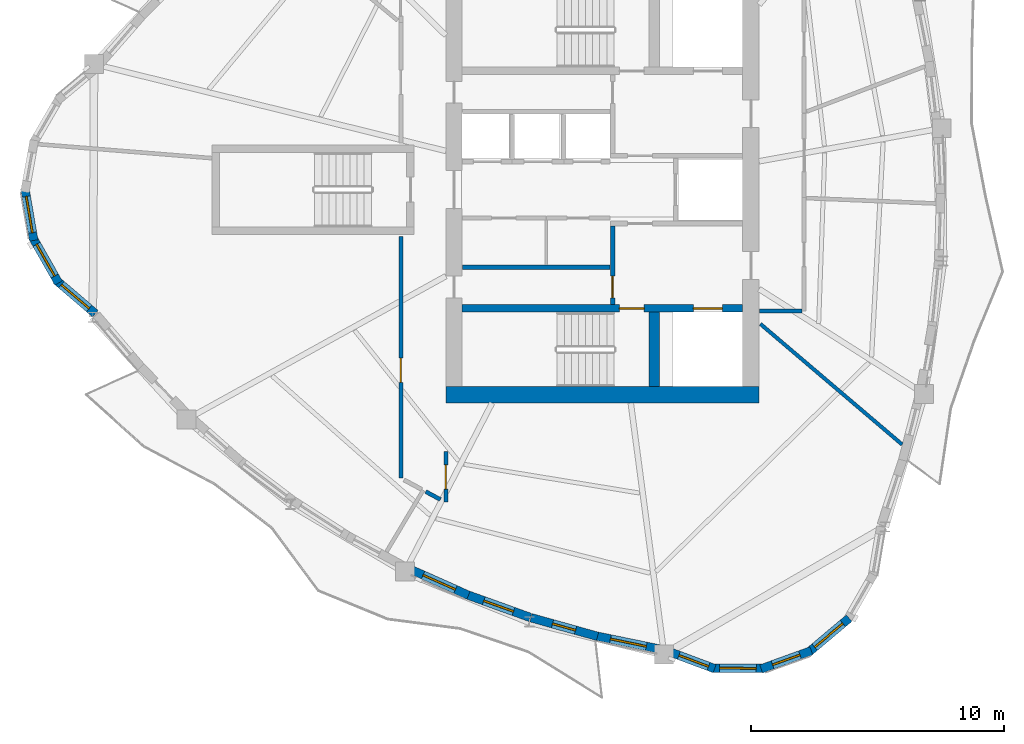
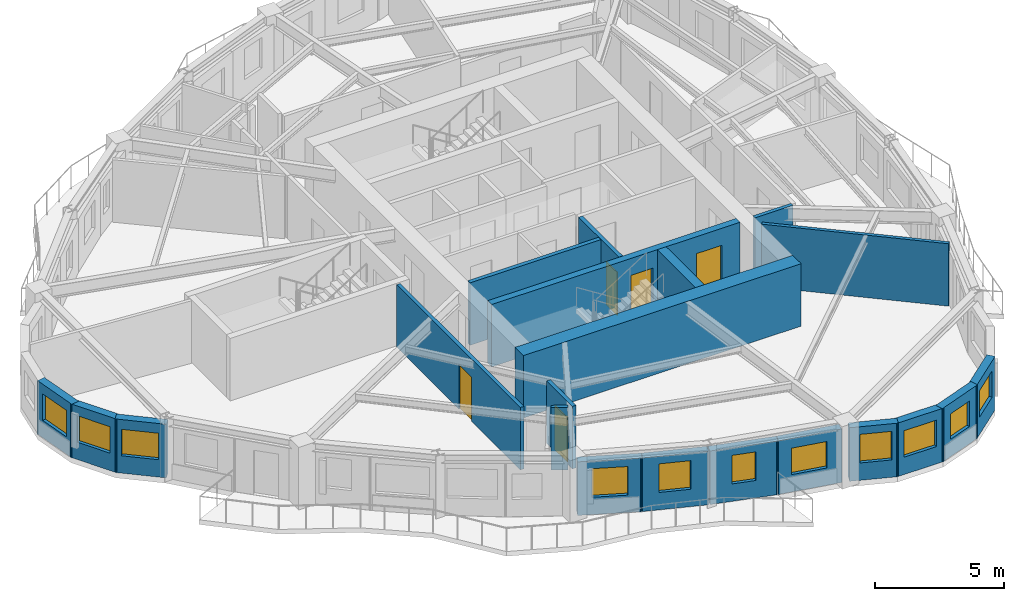
# One storey, part 3 of 11: 21 walls, 11 windows, 5 doors, 16 openings.
"""IFC4 building model written with IfcOpenShell, lengths in metres."""

from ifc_helpers import new_model, si_unit, direction, frame, frame_2d, origin, place, context, subcontext, project, spatial, rectangle, extrude, source, transform, mapped, material, layer, layer_set, type_object, element, fill, save


model = new_model("IFC4")

# Units and contexts
model_context = context("Model", 3, precision=1e-05, world=origin(), true_north=direction((0.0, 1.0)))
body_context = subcontext(model_context, "Body", "Model", "MODEL_VIEW")
ifc_project = project(units=[si_unit("LENGTHUNIT", "METRE"), si_unit("AREAUNIT", "SQUARE_METRE"), si_unit("VOLUMEUNIT", "CUBIC_METRE"), si_unit("PLANEANGLEUNIT", "RADIAN"), si_unit("MASSUNIT", "GRAM", prefix="KILO")], contexts=[model_context])

# Site, building, storey
site_placement = place(None, origin())
site = spatial("IfcSite", under=ifc_project, at=site_placement, CompositionType="ELEMENT")
building_placement = place(site_placement, origin())
building = spatial("IfcBuilding", under=site, at=building_placement, Name="Qafzar Sky-Pleat Residences", CompositionType="ELEMENT")
storey_placement = place(building_placement, frame((0.0, 0.0, 165.0)))
storey = spatial("IfcBuildingStorey", under=building, at=storey_placement, Name="L49", CompositionType="ELEMENT", Elevation=165.0)

# Wall, opening, door
ifc_material_1 = material(Name="Acoustic gypsum plasterboard partition", Category="gypsum")
ifc_layer_1 = layer(ifc_material_1, 0.159912109375)
ifc_layer_set_1 = layer_set([ifc_layer_1], Name="Acoustic gypsum plasterboard partition")
wall_type_1 = type_object("IfcWallType", Name="PART-COR-160", PredefinedType="PARTITIONING", material=ifc_layer_set_1)
wall_1_placement = place(storey_placement, frame((22.3701171875, 14.5791015625, 0.0), z_axis=(0.0, 0.0, 1.0), x_axis=(0.0, 1.0, 0.0)))
wall_1 = element("IfcWall", 1, at=wall_1_placement, inside=storey, type_object=wall_type_1, Name="L49 Partition Wall PART-L49-PW-001", PredefinedType="PARTITIONING", context=body_context, shape_type="SweptSolid", body=[
    extrude(rectangle(XDim=9.57080078125, YDim=0.159912109375, at=frame_2d((4.785400390625, 0.0))), origin(), (0.0, 0.0, 1.0), 2.949951171875),
])
opening_1_placement = place(wall_1_placement, frame((3.79345703125, 0.0, 0.0)))
opening_1 = element("IfcOpeningElement", 2, at=opening_1_placement, cuts=wall_1, Name="Opening ID-06", PredefinedType="OPENING", context=body_context, shape_type="SweptSolid", body=[
    extrude(rectangle(XDim=0.9599609375, YDim=2.10009765625, at=frame_2d((0.47998046875, 1.050048828125))), frame((0.0, 0.08984375, 0.0), z_axis=(0.0, -1.0, 0.0), x_axis=(1.0, 0.0, 0.0)), (0.0, 0.0, 1.0), 0.179931640625),
])
ifc_material_2 = material(Name="Timber-faced fire door", Category="wood")
door_type_1 = type_object("IfcDoorType", Name="DR-STD-960", OperationType="NOTDEFINED", PredefinedType="DOOR", material=ifc_material_2)
shared_shape_1 = source(origin(), body_context, "Body", "SweptSolid", [
    extrude(rectangle(XDim=0.9599609375, YDim=2.10009765625, at=frame_2d((0.47998046875, 1.050048828125))), frame((0.0, 0.02490234375, 0.0), z_axis=(0.0, -1.0, 0.0), x_axis=(1.0, 0.0, 0.0)), (0.0, 0.0, 1.0), 0.050048828125),
])
door_1_placement = place(opening_1_placement, origin())
door_1 = element("IfcDoor", 3, at=door_1_placement, inside=storey, type_object=door_type_1, Name="L49 Faculty Research Office Door", OperationType="SINGLE_SWING_RIGHT", OverallHeight=2.10009765625, OverallWidth=0.9599609375, PredefinedType="DOOR", context=body_context, shape_type="MappedRepresentation", body=[
    mapped(shared_shape_1, transform((0.0, 0.0, 0.0), x_axis=(1.0, 0.0, 0.0), y_axis=(0.0, 1.0, 0.0), z_axis=(0.0, 0.0, 1.0), scale=1.0)),
])
fill(opening_1, door_1)

wall_2_placement = place(storey_placement, frame((24.14990234375, 15.633056640625, 0.0), z_axis=(0.0, 0.0, 1.0), x_axis=(0.0, -1.0, 0.0)))
wall_2 = element("IfcWall", 4, at=wall_2_placement, inside=storey, type_object=wall_type_1, Name="L49 Partition Wall PART-L49-PW-008", PredefinedType="PARTITIONING", context=body_context, shape_type="SweptSolid", body=[
    extrude(rectangle(XDim=1.9951171875, YDim=0.159912109375, at=frame_2d((0.99755859375, 0.0))), origin(), (0.0, 0.0, 1.0), 2.949951171875),
])
opening_2_placement = place(wall_2_placement, frame((0.531982421875, 0.0, 0.0)))
opening_2 = element("IfcOpeningElement", 5, at=opening_2_placement, cuts=wall_2, Name="Opening ID-06", PredefinedType="OPENING", context=body_context, shape_type="SweptSolid", body=[
    extrude(rectangle(XDim=0.9599609375, YDim=2.10009765625, at=frame_2d((0.47998046875, 1.050048828125))), frame((0.0, 0.08984375, 0.0), z_axis=(0.0, -1.0, 0.0), x_axis=(1.0, 0.0, 0.0)), (0.0, 0.0, 1.0), 0.179931640625),
])
door_2_placement = place(opening_2_placement, origin())
door_2 = element("IfcDoor", 6, at=door_2_placement, inside=storey, type_object=door_type_1, Name="L49 Scholar Co-Working Workspace Door", OperationType="SINGLE_SWING_RIGHT", OverallHeight=2.10009765625, OverallWidth=0.9599609375, PredefinedType="DOOR", context=body_context, shape_type="MappedRepresentation", body=[
    mapped(shared_shape_1, transform((0.0, 0.0, 0.0), x_axis=(1.0, 0.0, 0.0), y_axis=(0.0, 1.0, 0.0), z_axis=(0.0, 0.0, 1.0), scale=1.0)),
])
fill(opening_2, door_2)

# Walls
wall_3_placement = place(storey_placement, frame((36.55810546875, 21.199951171875, 0.0), z_axis=(0.0, 0.0, 1.0), x_axis=(1.0, 0.0, 0.0)))
element("IfcWall", 7, at=wall_3_placement, inside=storey, type_object=wall_type_1, Name="L49 Partition Wall PART-L49-PW-021", PredefinedType="PARTITIONING", context=body_context, shape_type="SweptSolid", body=[
    extrude(rectangle(XDim=1.683837890625, YDim=0.159912109375, at=frame_2d((0.841796875, 0.0))), origin(), (0.0, 0.0, 1.0), 2.949951171875),
])
wall_4_placement = place(storey_placement, frame((23.35400390625, 14.0478515625, 0.0), z_axis=(0.0, 0.0, 1.0), x_axis=(0.879446930613, -0.475996949818, 0.0)))
element("IfcWall", 8, at=wall_4_placement, inside=storey, type_object=wall_type_1, Name="L49 Partition Wall PART-L49-PW-028", PredefinedType="PARTITIONING", context=body_context, shape_type="SweptSolid", body=[
    extrude(rectangle(XDim=0.65966796875, YDim=0.159912109375, at=frame_2d((0.329833984375, 0.0))), origin(), (0.0, 0.0, 1.0), 2.949951171875),
])

# Wall, opening, door
ifc_material_3 = material(Name="Concrete blockwork partition", Category="masonry")
ifc_layer_2 = layer(ifc_material_3, 0.179931640625)
ifc_layer_set_2 = layer_set([ifc_layer_2], Name="Concrete blockwork partition")
wall_type_2 = type_object("IfcWallType", Name="PART-SHAFT-180", PredefinedType="PARTITIONING", material=ifc_layer_set_2)
wall_5_placement = place(storey_placement, frame((30.75, 21.4599609375, 0.0), z_axis=(0.0, 0.0, 1.0), x_axis=(0.0, 1.0, 0.0)))
wall_5 = element("IfcWall", 9, at=wall_5_placement, inside=storey, type_object=wall_type_2, Name="L49 Partition Wall PART-L49-FFL1-W", PredefinedType="PARTITIONING", context=body_context, shape_type="SweptSolid", body=[
    extrude(rectangle(XDim=3.110107421875, YDim=0.179931640625, at=frame_2d((1.55517578125, 0.0))), origin(), (0.0, 0.0, 1.0), 2.949951171875),
])
opening_3_placement = place(wall_5_placement, frame((0.260009765625, 0.0, 0.0)))
opening_3 = element("IfcOpeningElement", 10, at=opening_3_placement, cuts=wall_5, Name="Opening ID-09", PredefinedType="OPENING", context=body_context, shape_type="SweptSolid", body=[
    extrude(rectangle(XDim=0.860107421875, YDim=2.050048828125, at=frame_2d((0.43017578125, 1.02490234375))), frame((0.0, 0.10009765625, 0.0), z_axis=(0.0, -1.0, 0.0), x_axis=(1.0, 0.0, 0.0)), (0.0, 0.0, 1.0), 0.199951171875),
])
door_type_2 = type_object("IfcDoorType", Name="DR-SVC-860", OperationType="NOTDEFINED", PredefinedType="DOOR", material=ifc_material_2)
shared_shape_2 = source(origin(), body_context, "Body", "SweptSolid", [
    extrude(rectangle(XDim=0.860107421875, YDim=2.050048828125, at=frame_2d((0.43017578125, 1.02490234375))), frame((0.0, 0.02490234375, 0.0), z_axis=(0.0, -1.0, 0.0), x_axis=(1.0, 0.0, 0.0)), (0.0, 0.0, 1.0), 0.050048828125),
])
door_3_placement = place(opening_3_placement, origin())
door_3 = element("IfcDoor", 11, at=door_3_placement, inside=storey, type_object=door_type_2, Name="L49 South Core Cupboard Door", OperationType="SINGLE_SWING_RIGHT", OverallHeight=2.050048828125, OverallWidth=0.860107421875, PredefinedType="DOOR", context=body_context, shape_type="MappedRepresentation", body=[
    mapped(shared_shape_2, transform((0.0, 0.0, 0.0), x_axis=(1.0, 0.0, 0.0), y_axis=(0.0, 1.0, 0.0), z_axis=(0.0, 0.0, 1.0), scale=1.0)),
])
fill(opening_3, door_3)

# Walls
wall_6_placement = place(storey_placement, frame((24.81005859375, 22.919921875, 0.0), z_axis=(0.0, 0.0, 1.0), x_axis=(1.0, 0.0, 0.0)))
element("IfcWall", 12, at=wall_6_placement, inside=storey, type_object=wall_type_2, Name="L49 Partition Wall PART-L49-P13-S", PredefinedType="PARTITIONING", context=body_context, shape_type="SweptSolid", body=[
    extrude(rectangle(XDim=5.83984375, YDim=0.179931640625, at=frame_2d((2.919921875, 0.0))), origin(), (0.0, 0.0, 1.0), 2.949951171875),
])
ifc_layer_3 = layer(ifc_material_1, 0.14501953125)
ifc_layer_set_3 = layer_set([ifc_layer_3], Name="Acoustic gypsum plasterboard partition")
wall_type_3 = type_object("IfcWallType", Name="PART-UNIT-145", PredefinedType="PARTITIONING", material=ifc_layer_set_3)
wall_7_placement = place(storey_placement, frame((36.60302734375, 20.681884765625, 0.0), z_axis=(0.0, 0.0, 1.0), x_axis=(0.761710074833, -0.647918020971, 0.0)))
element("IfcWall", 13, at=wall_7_placement, inside=storey, type_object=wall_type_3, Name="L49 Partition Wall PART-L49-PW-012", PredefinedType="PARTITIONING", context=body_context, shape_type="SweptSolid", body=[
    extrude(rectangle(XDim=7.359130859375, YDim=0.14501953125, at=frame_2d((3.6796875, 0.0))), origin(), (0.0, 0.0, 1.0), 2.949951171875),
])

# Wall, opening, window
ifc_material_4 = material(Name="Precast concrete C40/50 with honed Riyadh limestone", Category="concrete")
ifc_layer_4 = layer(ifc_material_4, 0.340087890625)
ifc_layer_set_4 = layer_set([ifc_layer_4], Name="Precast concrete C40/50 with honed Riyadh limestone")
wall_type_4 = type_object("IfcWallType", Name="WALL-EXT-340", PredefinedType="SOLIDWALL", material=ifc_layer_set_4)
wall_8_placement = place(storey_placement, frame((7.48974609375, 26.038330078125, 0.0), z_axis=(0.0, 0.0, 1.0), x_axis=(0.168107405166, -0.985768685001, 0.0)))
wall_8 = element("IfcWall", 14, at=wall_8_placement, inside=storey, type_object=wall_type_4, Name="L49 Limestone Facade Wall 4", PredefinedType="SOLIDWALL", context=body_context, shape_type="SweptSolid", body=[
    extrude(rectangle(XDim=2.0810546875, YDim=0.340087890625, at=frame_2d((1.04052734375, 0.0))), origin(), (0.0, 0.0, 1.0), 2.530029296875),
])
opening_4_placement = place(wall_8_placement, frame((0.315673828125, 0.0, 0.820068359375)))
opening_4 = element("IfcOpeningElement", 15, at=opening_4_placement, cuts=wall_8, Name="Opening WN-15", PredefinedType="OPENING", context=body_context, shape_type="SweptSolid", body=[
    extrude(rectangle(XDim=1.449951171875, YDim=1.25, at=frame_2d((0.72509765625, 0.625))), frame((0.0, 0.18017578125, 0.0), z_axis=(0.0, -1.0, 0.0), x_axis=(1.0, 0.0, 0.0)), (0.0, 0.0, 1.0), 0.360107421875),
])
ifc_material_5 = material(Name="Solar-control low-E glass in bronze aluminium frame", Category="glass")
window_type_1 = type_object("IfcWindowType", Name="WIN-15", PartitioningType="SINGLE_PANEL", PredefinedType="WINDOW", material=ifc_material_5)
shared_shape_3 = source(origin(), body_context, "Body", "SweptSolid", [
    extrude(rectangle(XDim=1.449951171875, YDim=1.25, at=frame_2d((0.72509765625, 0.625))), frame((0.0, 0.030029296875, 0.0), z_axis=(0.0, -1.0, 0.0), x_axis=(1.0, 0.0, 0.0)), (0.0, 0.0, 1.0), 0.06005859375),
])
window_1_placement = place(opening_4_placement, origin())
window_1 = element("IfcWindow", 16, at=window_1_placement, inside=storey, type_object=window_type_1, Name="L49 Punched Facade Window 04", OverallHeight=1.25, OverallWidth=1.449951171875, PartitioningType="SINGLE_PANEL", PredefinedType="WINDOW", context=body_context, shape_type="MappedRepresentation", body=[
    mapped(shared_shape_3, transform((0.0, 0.0, 0.0), x_axis=(1.0, 0.0, 0.0), y_axis=(0.0, 1.0, 0.0), z_axis=(0.0, 0.0, 1.0), scale=1.0)),
])
fill(opening_4, window_1)

wall_9_placement = place(storey_placement, frame((7.794677734375, 24.11279296875, 0.0), z_axis=(0.0, 0.0, 1.0), x_axis=(0.493660675866, -0.869654607936, 0.0)))
wall_9 = element("IfcWall", 17, at=wall_9_placement, inside=storey, type_object=wall_type_4, Name="L49 Limestone Facade Wall 5", PredefinedType="SOLIDWALL", context=body_context, shape_type="SweptSolid", body=[
    extrude(rectangle(XDim=2.0810546875, YDim=0.340087890625, at=frame_2d((1.04052734375, 0.0))), origin(), (0.0, 0.0, 1.0), 2.530029296875),
])
opening_5_placement = place(wall_9_placement, frame((0.3154296875, 0.0, 0.820068359375)))
opening_5 = element("IfcOpeningElement", 18, at=opening_5_placement, cuts=wall_9, Name="Opening WN-15", PredefinedType="OPENING", context=body_context, shape_type="SweptSolid", body=[
    extrude(rectangle(XDim=1.449951171875, YDim=1.25, at=frame_2d((0.72509765625, 0.625))), frame((0.0, 0.18017578125, 0.0), z_axis=(0.0, -1.0, 0.0), x_axis=(1.0, 0.0, 0.0)), (0.0, 0.0, 1.0), 0.360107421875),
])
window_2_placement = place(opening_5_placement, origin())
window_2 = element("IfcWindow", 19, at=window_2_placement, inside=storey, type_object=window_type_1, Name="L49 Punched Facade Window 05", OverallHeight=1.25, OverallWidth=1.449951171875, PartitioningType="SINGLE_PANEL", PredefinedType="WINDOW", context=body_context, shape_type="MappedRepresentation", body=[
    mapped(shared_shape_3, transform((0.0, 0.0, 0.0), x_axis=(1.0, 0.0, 0.0), y_axis=(0.0, 1.0, 0.0), z_axis=(0.0, 0.0, 1.0), scale=1.0)),
])
fill(opening_5, window_2)

wall_10_placement = place(storey_placement, frame((8.737060546875, 22.406005859375, 0.0), z_axis=(0.0, 0.0, 1.0), x_axis=(0.760269373804, -0.649607942728, 0.0)))
wall_10 = element("IfcWall", 20, at=wall_10_placement, inside=storey, type_object=wall_type_4, Name="L49 Limestone Facade Wall 6", PredefinedType="SOLIDWALL", context=body_context, shape_type="SweptSolid", body=[
    extrude(rectangle(XDim=2.023193359375, YDim=0.340087890625, at=frame_2d((1.01171875, 0.0))), origin(), (0.0, 0.0, 1.0), 2.530029296875),
])
opening_6_placement = place(wall_10_placement, frame((0.256591796875, 0.0, 0.820068359375)))
opening_6 = element("IfcOpeningElement", 21, at=opening_6_placement, cuts=wall_10, Name="Opening WN-15", PredefinedType="OPENING", context=body_context, shape_type="SweptSolid", body=[
    extrude(rectangle(XDim=1.449951171875, YDim=1.25, at=frame_2d((0.72509765625, 0.625))), frame((0.0, 0.18017578125, 0.0), z_axis=(0.0, -1.0, 0.0), x_axis=(1.0, 0.0, 0.0)), (0.0, 0.0, 1.0), 0.360107421875),
])
window_3_placement = place(opening_6_placement, origin())
window_3 = element("IfcWindow", 22, at=window_3_placement, inside=storey, type_object=window_type_1, Name="L49 Punched Facade Window 06", OverallHeight=1.25, OverallWidth=1.449951171875, PartitioningType="SINGLE_PANEL", PredefinedType="WINDOW", context=body_context, shape_type="MappedRepresentation", body=[
    mapped(shared_shape_3, transform((0.0, 0.0, 0.0), x_axis=(1.0, 0.0, 0.0), y_axis=(0.0, 1.0, 0.0), z_axis=(0.0, 0.0, 1.0), scale=1.0)),
])
fill(opening_6, window_3)

wall_11_placement = place(storey_placement, frame((22.739501953125, 10.97119140625, 0.0), z_axis=(0.0, 0.0, 1.0), x_axis=(0.913208557636, -0.407492491048, 0.0)))
wall_11 = element("IfcWall", 23, at=wall_11_placement, inside=storey, type_object=wall_type_4, Name="L49 Limestone Facade Wall 13", PredefinedType="SOLIDWALL", context=body_context, shape_type="SweptSolid", body=[
    extrude(rectangle(XDim=2.525390625, YDim=0.340087890625, at=frame_2d((1.2626953125, 0.0))), origin(), (0.0, 0.0, 1.0), 2.530029296875),
])
opening_7_placement = place(wall_11_placement, frame((0.5576171875, 0.0, 0.820068359375)))
opening_7 = element("IfcOpeningElement", 24, at=opening_7_placement, cuts=wall_11, Name="Opening WN-10", PredefinedType="OPENING", context=body_context, shape_type="SweptSolid", body=[
    extrude(rectangle(XDim=1.39990234375, YDim=1.35009765625, at=frame_2d((0.699951171875, 0.675048828125))), frame((0.0, 0.18017578125, 0.0), z_axis=(0.0, -1.0, 0.0), x_axis=(1.0, 0.0, 0.0)), (0.0, 0.0, 1.0), 0.360107421875),
])
window_type_2 = type_object("IfcWindowType", Name="WIN-10", PartitioningType="SINGLE_PANEL", PredefinedType="WINDOW", material=ifc_material_5)
shared_shape_4 = source(origin(), body_context, "Body", "SweptSolid", [
    extrude(rectangle(XDim=1.39990234375, YDim=1.35009765625, at=frame_2d((0.699951171875, 0.675048828125))), frame((0.0, 0.030029296875, 0.0), z_axis=(0.0, -1.0, 0.0), x_axis=(1.0, 0.0, 0.0)), (0.0, 0.0, 1.0), 0.06005859375),
])
window_4_placement = place(opening_7_placement, origin())
window_4 = element("IfcWindow", 25, at=window_4_placement, inside=storey, type_object=window_type_2, Name="L49 Punched Facade Window 13", OverallHeight=1.35009765625, OverallWidth=1.39990234375, PartitioningType="SINGLE_PANEL", PredefinedType="WINDOW", context=body_context, shape_type="MappedRepresentation", body=[
    mapped(shared_shape_4, transform((0.0, 0.0, 0.0), x_axis=(1.0, 0.0, 0.0), y_axis=(0.0, 1.0, 0.0), z_axis=(0.0, 0.0, 1.0), scale=1.0)),
])
fill(opening_7, window_4)

wall_12_placement = place(storey_placement, frame((24.96337890625, 9.97509765625, 0.0), z_axis=(0.0, 0.0, 1.0), x_axis=(0.940893194947, -0.338703403736, 0.0)))
wall_12 = element("IfcWall", 26, at=wall_12_placement, inside=storey, type_object=wall_type_4, Name="L49 Limestone Facade Wall 14", PredefinedType="SOLIDWALL", context=body_context, shape_type="SweptSolid", body=[
    extrude(rectangle(XDim=2.690673828125, YDim=0.340087890625, at=frame_2d((1.34521484375, 0.0))), origin(), (0.0, 0.0, 1.0), 2.530029296875),
])
opening_8_placement = place(wall_12_placement, frame((0.730224609375, 0.0, 0.820068359375)))
opening_8 = element("IfcOpeningElement", 27, at=opening_8_placement, cuts=wall_12, Name="Opening WN-11", PredefinedType="OPENING", context=body_context, shape_type="SweptSolid", body=[
    extrude(rectangle(XDim=1.25, YDim=1.35009765625, at=frame_2d((0.625, 0.675048828125))), frame((0.0, 0.18017578125, 0.0), z_axis=(0.0, -1.0, 0.0), x_axis=(1.0, 0.0, 0.0)), (0.0, 0.0, 1.0), 0.360107421875),
])
window_type_3 = type_object("IfcWindowType", Name="WIN-11", PartitioningType="SINGLE_PANEL", PredefinedType="WINDOW", material=ifc_material_5)
shared_shape_5 = source(origin(), body_context, "Body", "SweptSolid", [
    extrude(rectangle(XDim=1.25, YDim=1.35009765625, at=frame_2d((0.625, 0.675048828125))), frame((0.0, 0.030029296875, 0.0), z_axis=(0.0, -1.0, 0.0), x_axis=(1.0, 0.0, 0.0)), (0.0, 0.0, 1.0), 0.06005859375),
])
window_5_placement = place(opening_8_placement, origin())
window_5 = element("IfcWindow", 28, at=window_5_placement, inside=storey, type_object=window_type_3, Name="L49 Punched Facade Window 14", OverallHeight=1.35009765625, OverallWidth=1.25, PartitioningType="SINGLE_PANEL", PredefinedType="WINDOW", context=body_context, shape_type="MappedRepresentation", body=[
    mapped(shared_shape_5, transform((0.0, 0.0, 0.0), x_axis=(1.0, 0.0, 0.0), y_axis=(0.0, 1.0, 0.0), z_axis=(0.0, 0.0, 1.0), scale=1.0)),
])
fill(opening_8, window_5)

wall_13_placement = place(storey_placement, frame((27.521484375, 9.055419921875, 0.0), z_axis=(0.0, 0.0, 1.0), x_axis=(0.962873105013, -0.269954410306, 0.0)))
wall_13 = element("IfcWall", 29, at=wall_13_placement, inside=storey, type_object=wall_type_4, Name="L49 Limestone Facade Wall 15", PredefinedType="SOLIDWALL", context=body_context, shape_type="SweptSolid", body=[
    extrude(rectangle(XDim=2.73486328125, YDim=0.340087890625, at=frame_2d((1.367431640625, 0.0))), origin(), (0.0, 0.0, 1.0), 2.530029296875),
])
opening_9_placement = place(wall_13_placement, frame((0.88232421875, 0.0, 0.820068359375)))
opening_9 = element("IfcOpeningElement", 30, at=opening_9_placement, cuts=wall_13, Name="Opening WN-12", PredefinedType="OPENING", context=body_context, shape_type="SweptSolid", body=[
    extrude(rectangle(XDim=0.949951171875, YDim=1.35009765625, at=frame_2d((0.47509765625, 0.675048828125))), frame((0.0, 0.18017578125, 0.0), z_axis=(0.0, -1.0, 0.0), x_axis=(1.0, 0.0, 0.0)), (0.0, 0.0, 1.0), 0.360107421875),
])
window_type_4 = type_object("IfcWindowType", Name="WIN-12", PartitioningType="SINGLE_PANEL", PredefinedType="WINDOW", material=ifc_material_5)
shared_shape_6 = source(origin(), body_context, "Body", "SweptSolid", [
    extrude(rectangle(XDim=0.949951171875, YDim=1.35009765625, at=frame_2d((0.47509765625, 0.675048828125))), frame((0.0, 0.030029296875, 0.0), z_axis=(0.0, -1.0, 0.0), x_axis=(1.0, 0.0, 0.0)), (0.0, 0.0, 1.0), 0.06005859375),
])
window_6_placement = place(opening_9_placement, origin())
window_6 = element("IfcWindow", 31, at=window_6_placement, inside=storey, type_object=window_type_4, Name="L49 Punched Facade Window 15", OverallHeight=1.35009765625, OverallWidth=0.949951171875, PartitioningType="SINGLE_PANEL", PredefinedType="WINDOW", context=body_context, shape_type="MappedRepresentation", body=[
    mapped(shared_shape_6, transform((0.0, 0.0, 0.0), x_axis=(1.0, 0.0, 0.0), y_axis=(0.0, 1.0, 0.0), z_axis=(0.0, 0.0, 1.0), scale=1.0)),
])
fill(opening_9, window_6)

wall_14_placement = place(storey_placement, frame((30.069580078125, 8.337890625, 0.0), z_axis=(0.0, 0.0, 1.0), x_axis=(0.97931003802, -0.202365633032, 0.0)))
wall_14 = element("IfcWall", 32, at=wall_14_placement, inside=storey, type_object=wall_type_4, Name="L49 Limestone Facade Wall 16", PredefinedType="SOLIDWALL", context=body_context, shape_type="SweptSolid", body=[
    extrude(rectangle(XDim=2.65771484375, YDim=0.340087890625, at=frame_2d((1.328857421875, 0.0))), origin(), (0.0, 0.0, 1.0), 2.530029296875),
])
opening_10_placement = place(wall_14_placement, frame((0.60888671875, 0.0, 0.820068359375)))
opening_10 = element("IfcOpeningElement", 33, at=opening_10_placement, cuts=wall_14, Name="Opening WN-15", PredefinedType="OPENING", context=body_context, shape_type="SweptSolid", body=[
    extrude(rectangle(XDim=1.449951171875, YDim=1.25, at=frame_2d((0.72509765625, 0.625))), frame((0.0, 0.18017578125, 0.0), z_axis=(0.0, -1.0, 0.0), x_axis=(1.0, 0.0, 0.0)), (0.0, 0.0, 1.0), 0.360107421875),
])
window_7_placement = place(opening_10_placement, origin())
window_7 = element("IfcWindow", 34, at=window_7_placement, inside=storey, type_object=window_type_1, Name="L49 Punched Facade Window 16", OverallHeight=1.25, OverallWidth=1.449951171875, PartitioningType="SINGLE_PANEL", PredefinedType="WINDOW", context=body_context, shape_type="MappedRepresentation", body=[
    mapped(shared_shape_3, transform((0.0, 0.0, 0.0), x_axis=(1.0, 0.0, 0.0), y_axis=(0.0, 1.0, 0.0), z_axis=(0.0, 0.0, 1.0), scale=1.0)),
])
fill(opening_10, window_7)

wall_15_placement = place(storey_placement, frame((32.994384765625, 7.70751953125, 0.0), z_axis=(0.0, 0.0, 1.0), x_axis=(0.936872687757, -0.349670654952, 0.0)))
wall_15 = element("IfcWall", 35, at=wall_15_placement, inside=storey, type_object=wall_type_4, Name="L49 Limestone Facade Wall 17", PredefinedType="SOLIDWALL", context=body_context, shape_type="SweptSolid", body=[
    extrude(rectangle(XDim=1.915771484375, YDim=0.340087890625, at=frame_2d((0.9580078125, 0.0))), origin(), (0.0, 0.0, 1.0), 2.530029296875),
])
opening_11_placement = place(wall_15_placement, frame((0.40771484375, 0.0, 0.820068359375)))
opening_11 = element("IfcOpeningElement", 36, at=opening_11_placement, cuts=wall_15, Name="Opening WN-11", PredefinedType="OPENING", context=body_context, shape_type="SweptSolid", body=[
    extrude(rectangle(XDim=1.25, YDim=1.35009765625, at=frame_2d((0.625, 0.675048828125))), frame((0.0, 0.18017578125, 0.0), z_axis=(0.0, -1.0, 0.0), x_axis=(1.0, 0.0, 0.0)), (0.0, 0.0, 1.0), 0.360107421875),
])
window_8_placement = place(opening_11_placement, origin())
window_8 = element("IfcWindow", 37, at=window_8_placement, inside=storey, type_object=window_type_3, Name="L49 Punched Facade Window 17", OverallHeight=1.35009765625, OverallWidth=1.25, PartitioningType="SINGLE_PANEL", PredefinedType="WINDOW", context=body_context, shape_type="MappedRepresentation", body=[
    mapped(shared_shape_5, transform((0.0, 0.0, 0.0), x_axis=(1.0, 0.0, 0.0), y_axis=(0.0, 1.0, 0.0), z_axis=(0.0, 0.0, 1.0), scale=1.0)),
])
fill(opening_11, window_8)

wall_16_placement = place(storey_placement, frame((34.656982421875, 7.06201171875, 0.0), z_axis=(0.0, 0.0, 1.0), x_axis=(0.999987609968, -0.00497794249, 0.0)))
wall_16 = element("IfcWall", 38, at=wall_16_placement, inside=storey, type_object=wall_type_4, Name="L49 Limestone Facade Wall 18", PredefinedType="SOLIDWALL", context=body_context, shape_type="SweptSolid", body=[
    extrude(rectangle(XDim=2.10888671875, YDim=0.340087890625, at=frame_2d((1.054443359375, 0.0))), origin(), (0.0, 0.0, 1.0), 2.530029296875),
])
opening_12_placement = place(wall_16_placement, frame((0.329345703125, 0.0, 0.820068359375)))
opening_12 = element("IfcOpeningElement", 39, at=opening_12_placement, cuts=wall_16, Name="Opening WN-15", PredefinedType="OPENING", context=body_context, shape_type="SweptSolid", body=[
    extrude(rectangle(XDim=1.449951171875, YDim=1.25, at=frame_2d((0.72509765625, 0.625))), frame((0.0, 0.18017578125, 0.0), z_axis=(0.0, -1.0, 0.0), x_axis=(1.0, 0.0, 0.0)), (0.0, 0.0, 1.0), 0.360107421875),
])
window_9_placement = place(opening_12_placement, origin())
window_9 = element("IfcWindow", 40, at=window_9_placement, inside=storey, type_object=window_type_1, Name="L49 Punched Facade Window 18", OverallHeight=1.25, OverallWidth=1.449951171875, PartitioningType="SINGLE_PANEL", PredefinedType="WINDOW", context=body_context, shape_type="MappedRepresentation", body=[
    mapped(shared_shape_3, transform((0.0, 0.0, 0.0), x_axis=(1.0, 0.0, 0.0), y_axis=(0.0, 1.0, 0.0), z_axis=(0.0, 0.0, 1.0), scale=1.0)),
])
fill(opening_12, window_9)

wall_17_placement = place(storey_placement, frame((36.63330078125, 7.02880859375, 0.0), z_axis=(0.0, 0.0, 1.0), x_axis=(0.940255626786, 0.340469317702, 0.0)))
wall_17 = element("IfcWall", 41, at=wall_17_placement, inside=storey, type_object=wall_type_4, Name="L49 Limestone Facade Wall 19", PredefinedType="SOLIDWALL", context=body_context, shape_type="SweptSolid", body=[
    extrude(rectangle(XDim=2.10888671875, YDim=0.340087890625, at=frame_2d((1.054443359375, 0.0))), origin(), (0.0, 0.0, 1.0), 2.530029296875),
])
opening_13_placement = place(wall_17_placement, frame((0.4794921875, 0.0, 0.820068359375)))
opening_13 = element("IfcOpeningElement", 42, at=opening_13_placement, cuts=wall_17, Name="Opening WN-16", PredefinedType="OPENING", context=body_context, shape_type="SweptSolid", body=[
    extrude(rectangle(XDim=1.14990234375, YDim=1.199951171875, at=frame_2d((0.574951171875, 0.60009765625))), frame((0.0, 0.18017578125, 0.0), z_axis=(0.0, -1.0, 0.0), x_axis=(1.0, 0.0, 0.0)), (0.0, 0.0, 1.0), 0.360107421875),
])
window_type_5 = type_object("IfcWindowType", Name="WIN-16", PartitioningType="SINGLE_PANEL", PredefinedType="WINDOW", material=ifc_material_5)
shared_shape_7 = source(origin(), body_context, "Body", "SweptSolid", [
    extrude(rectangle(XDim=1.14990234375, YDim=1.199951171875, at=frame_2d((0.574951171875, 0.60009765625))), frame((0.0, 0.030029296875, 0.0), z_axis=(0.0, -1.0, 0.0), x_axis=(1.0, 0.0, 0.0)), (0.0, 0.0, 1.0), 0.06005859375),
])
window_10_placement = place(opening_13_placement, origin())
window_10 = element("IfcWindow", 43, at=window_10_placement, inside=storey, type_object=window_type_5, Name="L49 Punched Facade Window 19", OverallHeight=1.199951171875, OverallWidth=1.14990234375, PartitioningType="SINGLE_PANEL", PredefinedType="WINDOW", context=body_context, shape_type="MappedRepresentation", body=[
    mapped(shared_shape_7, transform((0.0, 0.0, 0.0), x_axis=(1.0, 0.0, 0.0), y_axis=(0.0, 1.0, 0.0), z_axis=(0.0, 0.0, 1.0), scale=1.0)),
])
fill(opening_13, window_10)

wall_18_placement = place(storey_placement, frame((38.499755859375, 7.6796875, 0.0), z_axis=(0.0, 0.0, 1.0), x_axis=(0.765013277381, 0.644014507158, 0.0)))
wall_18 = element("IfcWall", 44, at=wall_18_placement, inside=storey, type_object=wall_type_4, Name="L49 Limestone Facade Wall 20", PredefinedType="SOLIDWALL", context=body_context, shape_type="SweptSolid", body=[
    extrude(rectangle(XDim=2.1083984375, YDim=0.340087890625, at=frame_2d((1.05419921875, 0.0))), origin(), (0.0, 0.0, 1.0), 2.530029296875),
])
opening_14_placement = place(wall_18_placement, frame((0.329345703125, 0.0, 0.820068359375)))
opening_14 = element("IfcOpeningElement", 45, at=opening_14_placement, cuts=wall_18, Name="Opening WN-15", PredefinedType="OPENING", context=body_context, shape_type="SweptSolid", body=[
    extrude(rectangle(XDim=1.449951171875, YDim=1.25, at=frame_2d((0.72509765625, 0.625))), frame((0.0, 0.18017578125, 0.0), z_axis=(0.0, -1.0, 0.0), x_axis=(1.0, 0.0, 0.0)), (0.0, 0.0, 1.0), 0.360107421875),
])
window_11_placement = place(opening_14_placement, origin())
window_11 = element("IfcWindow", 46, at=window_11_placement, inside=storey, type_object=window_type_1, Name="L49 Punched Facade Window 20", OverallHeight=1.25, OverallWidth=1.449951171875, PartitioningType="SINGLE_PANEL", PredefinedType="WINDOW", context=body_context, shape_type="MappedRepresentation", body=[
    mapped(shared_shape_3, transform((0.0, 0.0, 0.0), x_axis=(1.0, 0.0, 0.0), y_axis=(0.0, 1.0, 0.0), z_axis=(0.0, 0.0, 1.0), scale=1.0)),
])
fill(opening_14, window_11)

# Wall, openings, doors
ifc_material_6 = material(Name="Concrete C60/75", Category="concrete")
ifc_layer_5 = layer(ifc_material_6, 0.300048828125)
ifc_layer_set_5 = layer_set([ifc_layer_5], Name="Concrete C60/75")
wall_type_5 = type_object("IfcWallType", Name="WALL-SHEAR-300", PredefinedType="SHEAR", material=ifc_layer_set_5)
wall_19_placement = place(storey_placement, frame((24.800048828125, 21.300048828125, 0.0), z_axis=(0.0, 0.0, 1.0), x_axis=(1.0, 0.0, 0.0)))
wall_19 = element("IfcWall", 47, at=wall_19_placement, inside=storey, type_object=wall_type_5, Name="L49 Stair ST1 and FF1 Shaft North Wall", PredefinedType="SHEAR", context=body_context, shape_type="SweptSolid", body=[
    extrude(rectangle(XDim=11.099853515625, YDim=0.300048828125, at=frame_2d((5.5498046875, 0.0))), origin(), (0.0, 0.0, 1.0), 2.949951171875),
])
opening_15_placement = place(wall_19_placement, frame((6.219970703125, 0.0, 0.0)))
opening_15 = element("IfcOpeningElement", 48, at=opening_15_placement, cuts=wall_19, Name="Opening ID-01", PredefinedType="OPENING", context=body_context, shape_type="SweptSolid", body=[
    extrude(rectangle(XDim=0.97998046875, YDim=2.14990234375, at=frame_2d((0.489990234375, 1.074951171875))), frame((0.0, 0.16015625, 0.0), z_axis=(0.0, -1.0, 0.0), x_axis=(1.0, 0.0, 0.0)), (0.0, 0.0, 1.0), 0.320068359375),
])
opening_16_placement = place(wall_19_placement, frame((9.14990234375, 0.0, 0.0)))
opening_16 = element("IfcOpeningElement", 49, at=opening_16_placement, cuts=wall_19, Name="Opening LD-02", PredefinedType="OPENING", context=body_context, shape_type="SweptSolid", body=[
    extrude(rectangle(XDim=1.14990234375, YDim=2.14990234375, at=frame_2d((0.574951171875, 1.074951171875))), frame((0.0, 0.16015625, 0.0), z_axis=(0.0, -1.0, 0.0), x_axis=(1.0, 0.0, 0.0)), (0.0, 0.0, 1.0), 0.320068359375),
])
door_type_3 = type_object("IfcDoorType", Name="DR-STAIR-980", OperationType="NOTDEFINED", PredefinedType="DOOR", material=ifc_material_2)
shared_shape_8 = source(origin(), body_context, "Body", "SweptSolid", [
    extrude(rectangle(XDim=0.97998046875, YDim=2.14990234375, at=frame_2d((0.489990234375, 1.074951171875))), frame((0.0, 0.02490234375, 0.0), z_axis=(0.0, -1.0, 0.0), x_axis=(1.0, 0.0, 0.0)), (0.0, 0.0, 1.0), 0.050048828125),
])
door_4_placement = place(opening_15_placement, origin())
door_4 = element("IfcDoor", 50, at=door_4_placement, inside=storey, type_object=door_type_3, Name="L49 Stair ST1 Fire Door", OperationType="SINGLE_SWING_LEFT", OverallHeight=2.14990234375, OverallWidth=0.97998046875, PredefinedType="DOOR", context=body_context, shape_type="MappedRepresentation", body=[
    mapped(shared_shape_8, transform((0.0, 0.0, 0.0), x_axis=(1.0, 0.0, 0.0), y_axis=(0.0, 1.0, 0.0), z_axis=(0.0, 0.0, 1.0), scale=1.0)),
])
fill(opening_15, door_4)
ifc_material_7 = material(Name="Stainless steel sliding landing door", Category="steel")
door_type_4 = type_object("IfcDoorType", Name="DR-LIFT-FF", OperationType="DOUBLE_DOOR_SLIDING", PredefinedType="DOOR", material=ifc_material_7)
shared_shape_9 = source(origin(), body_context, "Body", "SweptSolid", [
    extrude(rectangle(XDim=1.14990234375, YDim=2.14990234375, at=frame_2d((0.574951171875, 1.074951171875))), frame((0.0, 0.02490234375, 0.0), z_axis=(0.0, -1.0, 0.0), x_axis=(1.0, 0.0, 0.0)), (0.0, 0.0, 1.0), 0.050048828125),
])
door_5_placement = place(opening_16_placement, origin())
door_5 = element("IfcDoor", 51, at=door_5_placement, inside=storey, type_object=door_type_4, Name="L49 Firefighting Lift FF1 Landing Door", OperationType="DOUBLE_DOOR_SLIDING", OverallHeight=2.14990234375, OverallWidth=1.14990234375, PredefinedType="DOOR", context=body_context, shape_type="MappedRepresentation", body=[
    mapped(shared_shape_9, transform((0.0, 0.0, 0.0), x_axis=(1.0, 0.0, 0.0), y_axis=(0.0, 1.0, 0.0), z_axis=(0.0, 0.0, 1.0), scale=1.0)),
])
fill(opening_16, door_5)

# Walls
ifc_layer_6 = layer(ifc_material_6, 0.39990234375)
ifc_layer_set_6 = layer_set([ifc_layer_6], Name="Concrete C60/75")
wall_type_6 = type_object("IfcWallType", Name="WALL-SHEAR-400", PredefinedType="SHEAR", material=ifc_layer_set_6)
wall_20_placement = place(storey_placement, frame((32.39990234375, 18.199951171875, 0.0), z_axis=(0.0, 0.0, 1.0), x_axis=(0.0, 1.0, 0.0)))
element("IfcWall", 52, at=wall_20_placement, inside=storey, type_object=wall_type_6, Name="L49 Stair ST1 East Dividing Wall", PredefinedType="SHEAR", context=body_context, shape_type="SweptSolid", body=[
    extrude(rectangle(XDim=2.949951171875, YDim=0.39990234375, at=frame_2d((1.47509765625, 0.0))), origin(), (0.0, 0.0, 1.0), 2.949951171875),
])
ifc_layer_7 = layer(ifc_material_6, 0.64990234375)
ifc_layer_set_7 = layer_set([ifc_layer_7], Name="Concrete C60/75")
wall_type_7 = type_object("IfcWallType", Name="WALL-SHEAR-650", PredefinedType="SHEAR", material=ifc_layer_set_7)
wall_21_placement = place(storey_placement, frame((24.14990234375, 17.875, 0.0), z_axis=(0.0, 0.0, 1.0), x_axis=(1.0, 0.0, 0.0)))
element("IfcWall", 53, at=wall_21_placement, inside=storey, type_object=wall_type_7, Name="L49 CORE wall S", PredefinedType="SHEAR", context=body_context, shape_type="SweptSolid", body=[
    extrude(rectangle(XDim=12.400146484375, YDim=0.64990234375, at=frame_2d((6.2001953125, 0.0))), origin(), (0.0, 0.0, 1.0), 2.949951171875),
])

save(model, "model.ifc")
